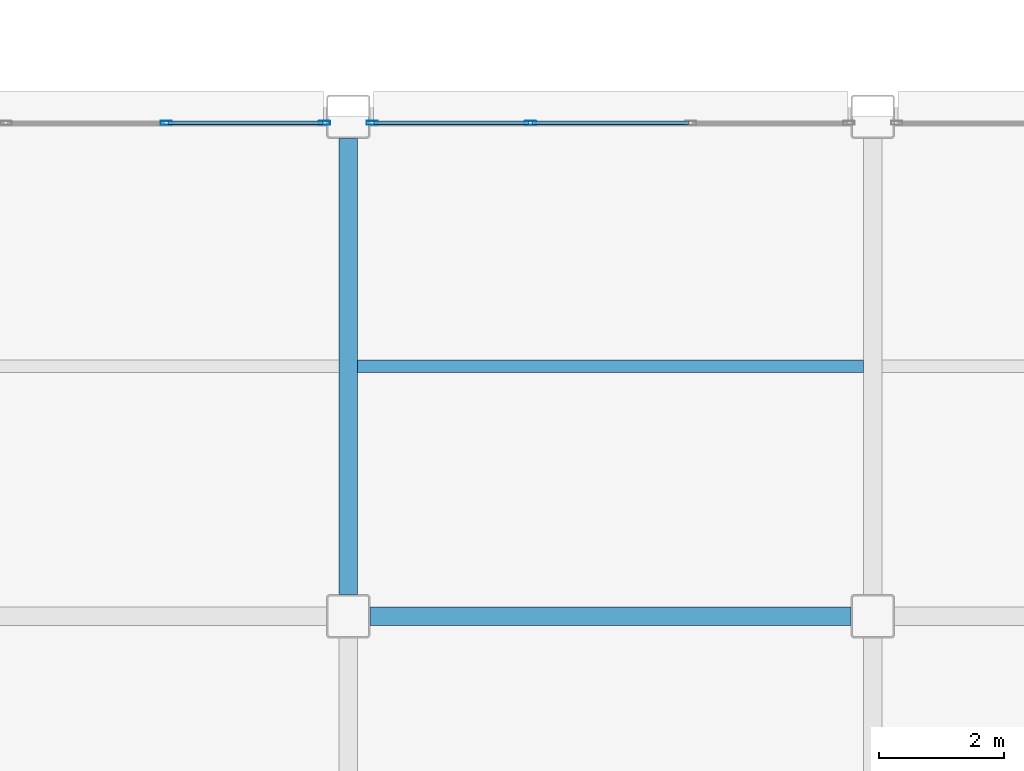
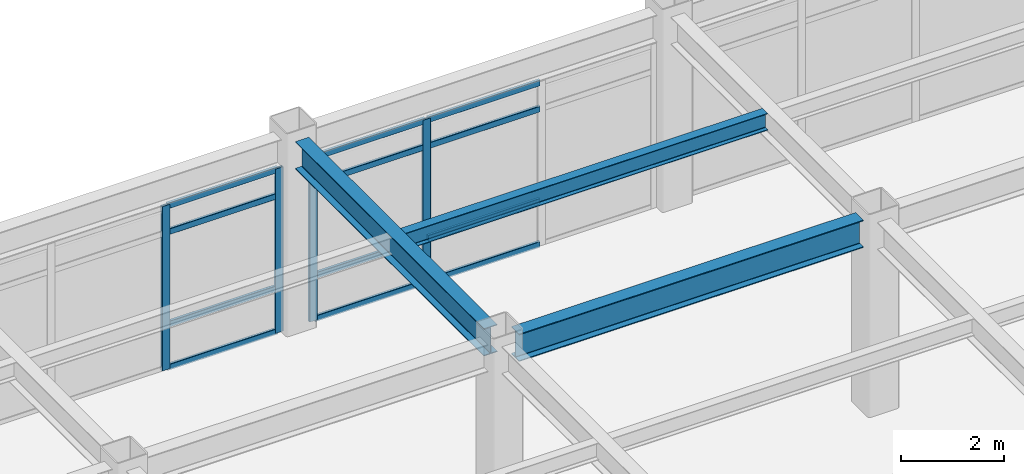
# One storey, part 50 of 154: 16 members, 3 beams, 2 elements without a shape of their own.
"""IFC4 building model written with IfcOpenShell, lengths in metres."""

from ifc_helpers import new_model, si_unit, direction, frame, origin, origin_2d, place, context, subcontext, project, spatial, hollow_rectangle, i_section, extrude, material, layer, layer_set, material_profile, profile_set, type_object, element, aggregate, save


model = new_model("IFC4")

# Units and contexts
model_context = context("Model", 3, precision=1e-05, world=origin(), true_north=direction((0.0, 1.0)))
body_context = subcontext(model_context, "Body", "Model", "MODEL_VIEW")
ifc_project = project(units=[si_unit("LENGTHUNIT", "METRE"), si_unit("AREAUNIT", "SQUARE_METRE"), si_unit("VOLUMEUNIT", "CUBIC_METRE"), si_unit("PLANEANGLEUNIT", "RADIAN"), si_unit("MASSUNIT", "GRAM", prefix="KILO")], contexts=[model_context])

# Site, building, storey
site_placement = place(None, origin())
site = spatial("IfcSite", under=ifc_project, at=site_placement, CompositionType="ELEMENT")
building_placement = place(site_placement, origin())
building = spatial("IfcBuilding", under=site, at=building_placement, Name="Kazehara Bluff Congress Hotel", CompositionType="ELEMENT")
storey_placement = place(building_placement, frame((0.0, 0.0, 10.199951171875)))
storey = spatial("IfcBuildingStorey", under=building, at=storey_placement, Name="L02", CompositionType="ELEMENT", Elevation=10.199951171875)

# Curtain wall, members
ifc_material_1 = material(Name="Anodised aluminium", Category="aluminium")
ifc_layer = layer(ifc_material_1, 0.159912109375)
ifc_layer_set = layer_set([ifc_layer], Name="Anodised aluminium")
curtain_wall_type = type_object("IfcCurtainWallType", Name="TP-CW-79", PredefinedType="NOTDEFINED", material=ifc_layer_set)
curtain_wall_1_placement = place(storey_placement, origin())
curtain_wall_1 = element("IfcCurtainWall", 1, at=curtain_wall_1_placement, inside=storey, type_object=curtain_wall_type, Name="L02 curtain wall CW-79 CW-ENC-V5-L02-12270-3190", PredefinedType="NOTDEFINED")
ifc_material_2 = material(Name="Anodised aluminium", Category="aluminium")
ifc_material_profile_1 = material_profile(ifc_material_2, hollow_rectangle(XDim=0.06494140625, YDim=0.179931640625, WallThickness=0.00390625, InnerFilletRadius=0.00390625, OuterFilletRadius=0.008056640625, at=origin_2d()))
ifc_profile_set_1 = profile_set([ifc_material_profile_1], Name="Anodised aluminium")
member_type_1 = type_object("IfcMemberType", Name="TP-CWM-02", PredefinedType="MULLION", material=ifc_profile_set_1)
member_1_placement = place(storey_placement, frame((123.9833984375, 31.89990234375, 0.0), z_axis=(0.0, 0.0, 1.0), x_axis=(0.0, 1.0, 0.0)))
member_1 = element("IfcMember", 2, at=member_1_placement, type_object=member_type_1, Name="CW-79 mullion 3", PredefinedType="MULLION", context=body_context, shape_type="SweptSolid", body=[
    extrude(hollow_rectangle(XDim=0.06494140625, YDim=0.179931640625, WallThickness=0.00390625, InnerFilletRadius=0.00390625, OuterFilletRadius=0.008056640625, at=origin_2d()), origin(), (0.0, 0.0, 1.0), 3.885009765625),
])
member_2_placement = place(storey_placement, frame((126.517578125, 31.89990234375, 0.0), z_axis=(0.0, 0.0, 1.0), x_axis=(0.0, 1.0, 0.0)))
member_2 = element("IfcMember", 3, at=member_2_placement, type_object=member_type_1, Name="CW-79 mullion 4", PredefinedType="MULLION", context=body_context, shape_type="SweptSolid", body=[
    extrude(hollow_rectangle(XDim=0.06494140625, YDim=0.179931640625, WallThickness=0.00390625, InnerFilletRadius=0.00390625, OuterFilletRadius=0.008056640625, at=origin_2d()), origin(), (0.0, 0.0, 1.0), 3.885009765625),
])

curtain_wall_2_placement = place(storey_placement, origin())
curtain_wall_2 = element("IfcCurtainWall", 4, at=curtain_wall_2_placement, inside=storey, type_object=curtain_wall_type, Name="L02 curtain wall CW-79 CW-ENC-V5-L02-13110-3190", PredefinedType="NOTDEFINED")
member_3_placement = place(storey_placement, frame((127.282470703125, 31.89990234375, 0.0), z_axis=(0.0, 0.0, 1.0), x_axis=(0.0, 1.0, 0.0)))
member_3 = element("IfcMember", 5, at=member_3_placement, type_object=member_type_1, Name="CW-79 mullion 1", PredefinedType="MULLION", context=body_context, shape_type="SweptSolid", body=[
    extrude(hollow_rectangle(XDim=0.06494140625, YDim=0.179931640625, WallThickness=0.00390625, InnerFilletRadius=0.00390625, OuterFilletRadius=0.008056640625, at=origin_2d()), origin(), (0.0, 0.0, 1.0), 3.885009765625),
])
member_4_placement = place(storey_placement, frame((129.816650390625, 31.89990234375, 0.0), z_axis=(0.0, 0.0, 1.0), x_axis=(0.0, 1.0, 0.0)))
member_4 = element("IfcMember", 6, at=member_4_placement, type_object=member_type_1, Name="CW-79 mullion 2", PredefinedType="MULLION", context=body_context, shape_type="SweptSolid", body=[
    extrude(hollow_rectangle(XDim=0.06494140625, YDim=0.179931640625, WallThickness=0.00390625, InnerFilletRadius=0.00390625, OuterFilletRadius=0.008056640625, at=origin_2d()), origin(), (0.0, 0.0, 1.0), 3.885009765625),
])

# Member
ifc_material_3 = material(Name="Anodised aluminium", Category="aluminium")
ifc_material_profile_2 = material_profile(ifc_material_3, hollow_rectangle(XDim=0.06494140625, YDim=0.139892578125, WallThickness=0.00390625, InnerFilletRadius=0.00390625, OuterFilletRadius=0.008056640625, at=origin_2d()))
ifc_profile_set_2 = profile_set([ifc_material_profile_2], Name="Anodised aluminium")
member_type_2 = type_object("IfcMemberType", Name="TP-CWT-02", PredefinedType="USERDEFINED", material=ifc_profile_set_2)
member_5_placement = place(storey_placement, frame((124.015869140625, 31.89990234375, 0.032470703125), z_axis=(1.0, 0.0, 0.0), x_axis=(0.0, 1.0, 0.0)))
member_5 = element("IfcMember", 7, at=member_5_placement, type_object=member_type_2, Name="CW-79 transom 3.1", ObjectType="TRANSOM", PredefinedType="USERDEFINED", context=body_context, shape_type="SweptSolid", body=[
    extrude(hollow_rectangle(XDim=0.06494140625, YDim=0.139892578125, WallThickness=0.00390625, InnerFilletRadius=0.00390625, OuterFilletRadius=0.008056640625, at=origin_2d()), origin(), (0.0, 0.0, 1.0), 2.46923828125),
])

member_6_placement = place(storey_placement, frame((124.015869140625, 31.89990234375, 1.050048828125), z_axis=(1.0, 0.0, 0.0), x_axis=(0.0, 1.0, 0.0)))
member_6 = element("IfcMember", 8, at=member_6_placement, type_object=member_type_2, Name="CW-79 transom 3.2", ObjectType="TRANSOM", PredefinedType="USERDEFINED", context=body_context, shape_type="SweptSolid", body=[
    extrude(hollow_rectangle(XDim=0.06494140625, YDim=0.139892578125, WallThickness=0.00390625, InnerFilletRadius=0.00390625, OuterFilletRadius=0.008056640625, at=origin_2d()), origin(), (0.0, 0.0, 1.0), 2.46923828125),
])

member_7_placement = place(storey_placement, frame((124.015869140625, 31.89990234375, 3.235107421875), z_axis=(1.0, 0.0, 0.0), x_axis=(0.0, 1.0, 0.0)))
member_7 = element("IfcMember", 9, at=member_7_placement, type_object=member_type_2, Name="CW-79 transom 3.3", ObjectType="TRANSOM", PredefinedType="USERDEFINED", context=body_context, shape_type="SweptSolid", body=[
    extrude(hollow_rectangle(XDim=0.06494140625, YDim=0.139892578125, WallThickness=0.00390625, InnerFilletRadius=0.00390625, OuterFilletRadius=0.008056640625, at=origin_2d()), origin(), (0.0, 0.0, 1.0), 2.46923828125),
])

member_8_placement = place(storey_placement, frame((124.015869140625, 31.89990234375, 3.8525390625), z_axis=(1.0, 0.0, 0.0), x_axis=(0.0, 1.0, 0.0)))
member_8 = element("IfcMember", 10, at=member_8_placement, type_object=member_type_2, Name="CW-79 transom 3.4", ObjectType="TRANSOM", PredefinedType="USERDEFINED", context=body_context, shape_type="SweptSolid", body=[
    extrude(hollow_rectangle(XDim=0.06494140625, YDim=0.139892578125, WallThickness=0.00390625, InnerFilletRadius=0.00390625, OuterFilletRadius=0.008056640625, at=origin_2d()), origin(), (0.0, 0.0, 1.0), 2.46923828125),
])

aggregate(curtain_wall_1, [member_1, member_2, member_5, member_6, member_7, member_8])

member_9_placement = place(storey_placement, frame((127.31494140625, 31.89990234375, 0.032470703125), z_axis=(1.0, 0.0, 0.0), x_axis=(0.0, 1.0, 0.0)))
member_9 = element("IfcMember", 11, at=member_9_placement, type_object=member_type_2, Name="CW-79 transom 1.1", ObjectType="TRANSOM", PredefinedType="USERDEFINED", context=body_context, shape_type="SweptSolid", body=[
    extrude(hollow_rectangle(XDim=0.06494140625, YDim=0.139892578125, WallThickness=0.00390625, InnerFilletRadius=0.00390625, OuterFilletRadius=0.008056640625, at=origin_2d()), origin(), (0.0, 0.0, 1.0), 2.46923828125),
])

member_10_placement = place(storey_placement, frame((127.31494140625, 31.89990234375, 1.050048828125), z_axis=(1.0, 0.0, 0.0), x_axis=(0.0, 1.0, 0.0)))
member_10 = element("IfcMember", 12, at=member_10_placement, type_object=member_type_2, Name="CW-79 transom 1.2", ObjectType="TRANSOM", PredefinedType="USERDEFINED", context=body_context, shape_type="SweptSolid", body=[
    extrude(hollow_rectangle(XDim=0.06494140625, YDim=0.139892578125, WallThickness=0.00390625, InnerFilletRadius=0.00390625, OuterFilletRadius=0.008056640625, at=origin_2d()), origin(), (0.0, 0.0, 1.0), 2.46923828125),
])

member_11_placement = place(storey_placement, frame((127.31494140625, 31.89990234375, 3.235107421875), z_axis=(1.0, 0.0, 0.0), x_axis=(0.0, 1.0, 0.0)))
member_11 = element("IfcMember", 13, at=member_11_placement, type_object=member_type_2, Name="CW-79 transom 1.3", ObjectType="TRANSOM", PredefinedType="USERDEFINED", context=body_context, shape_type="SweptSolid", body=[
    extrude(hollow_rectangle(XDim=0.06494140625, YDim=0.139892578125, WallThickness=0.00390625, InnerFilletRadius=0.00390625, OuterFilletRadius=0.008056640625, at=origin_2d()), origin(), (0.0, 0.0, 1.0), 2.46923828125),
])

member_12_placement = place(storey_placement, frame((127.31494140625, 31.89990234375, 3.8525390625), z_axis=(1.0, 0.0, 0.0), x_axis=(0.0, 1.0, 0.0)))
member_12 = element("IfcMember", 14, at=member_12_placement, type_object=member_type_2, Name="CW-79 transom 1.4", ObjectType="TRANSOM", PredefinedType="USERDEFINED", context=body_context, shape_type="SweptSolid", body=[
    extrude(hollow_rectangle(XDim=0.06494140625, YDim=0.139892578125, WallThickness=0.00390625, InnerFilletRadius=0.00390625, OuterFilletRadius=0.008056640625, at=origin_2d()), origin(), (0.0, 0.0, 1.0), 2.46923828125),
])

member_13_placement = place(storey_placement, frame((129.84912109375, 31.89990234375, 0.032470703125), z_axis=(1.0, 0.0, 0.0), x_axis=(0.0, 1.0, 0.0)))
member_13 = element("IfcMember", 15, at=member_13_placement, type_object=member_type_2, Name="CW-79 transom 2.1", ObjectType="TRANSOM", PredefinedType="USERDEFINED", context=body_context, shape_type="SweptSolid", body=[
    extrude(hollow_rectangle(XDim=0.06494140625, YDim=0.139892578125, WallThickness=0.00390625, InnerFilletRadius=0.00390625, OuterFilletRadius=0.008056640625, at=origin_2d()), origin(), (0.0, 0.0, 1.0), 2.501708984375),
])

member_14_placement = place(storey_placement, frame((129.84912109375, 31.89990234375, 1.050048828125), z_axis=(1.0, 0.0, 0.0), x_axis=(0.0, 1.0, 0.0)))
member_14 = element("IfcMember", 16, at=member_14_placement, type_object=member_type_2, Name="CW-79 transom 2.2", ObjectType="TRANSOM", PredefinedType="USERDEFINED", context=body_context, shape_type="SweptSolid", body=[
    extrude(hollow_rectangle(XDim=0.06494140625, YDim=0.139892578125, WallThickness=0.00390625, InnerFilletRadius=0.00390625, OuterFilletRadius=0.008056640625, at=origin_2d()), origin(), (0.0, 0.0, 1.0), 2.501708984375),
])

member_15_placement = place(storey_placement, frame((129.84912109375, 31.89990234375, 3.235107421875), z_axis=(1.0, 0.0, 0.0), x_axis=(0.0, 1.0, 0.0)))
member_15 = element("IfcMember", 17, at=member_15_placement, type_object=member_type_2, Name="CW-79 transom 2.3", ObjectType="TRANSOM", PredefinedType="USERDEFINED", context=body_context, shape_type="SweptSolid", body=[
    extrude(hollow_rectangle(XDim=0.06494140625, YDim=0.139892578125, WallThickness=0.00390625, InnerFilletRadius=0.00390625, OuterFilletRadius=0.008056640625, at=origin_2d()), origin(), (0.0, 0.0, 1.0), 2.501708984375),
])

member_16_placement = place(storey_placement, frame((129.84912109375, 31.89990234375, 3.8525390625), z_axis=(1.0, 0.0, 0.0), x_axis=(0.0, 1.0, 0.0)))
member_16 = element("IfcMember", 18, at=member_16_placement, type_object=member_type_2, Name="CW-79 transom 2.4", ObjectType="TRANSOM", PredefinedType="USERDEFINED", context=body_context, shape_type="SweptSolid", body=[
    extrude(hollow_rectangle(XDim=0.06494140625, YDim=0.139892578125, WallThickness=0.00390625, InnerFilletRadius=0.00390625, OuterFilletRadius=0.008056640625, at=origin_2d()), origin(), (0.0, 0.0, 1.0), 2.501708984375),
])

aggregate(curtain_wall_2, [member_3, member_4, member_9, member_10, member_11, member_12, member_13, member_14, member_15, member_16])

# Beams
ifc_material_4 = material(Name="Steel SN490B", Category="steel")
ifc_material_profile_3 = material_profile(ifc_material_4, i_section(OverallWidth=0.300048828125, OverallDepth=0.64990234375, WebThickness=0.011962890625, FlangeThickness=0.02001953125, FilletRadius=0.012939453125, at=origin_2d()))
ifc_profile_set_3 = profile_set([ifc_material_profile_3], Name="Steel SN490B")
beam_type_1 = type_object("IfcBeamType", Name="TP-G-03", PredefinedType="BEAM", material=ifc_profile_set_3)
beam_1_placement = place(storey_placement, frame((126.89990234375, 24.35009765625, 4.235107421875), z_axis=(0.0, 1.0, 0.0), x_axis=(-1.0, 0.0, 0.0)))
element("IfcBeam", 19, at=beam_1_placement, inside=storey, type_object=beam_type_1, Name="L02 girder G-03 135", PredefinedType="BEAM", context=body_context, shape_type="SweptSolid", body=[
    extrude(i_section(OverallWidth=0.300048828125, OverallDepth=0.64990234375, WebThickness=0.011962890625, FlangeThickness=0.02001953125, FilletRadius=0.012939453125, at=origin_2d()), origin(), (0.0, 0.0, 1.0), 7.2998046875),
])
beam_2_placement = place(storey_placement, frame((127.25, 24.0, 4.235107421875), z_axis=(1.0, 0.0, 0.0), x_axis=(0.0, 1.0, 0.0)))
element("IfcBeam", 20, at=beam_2_placement, inside=storey, type_object=beam_type_1, Name="L02 girder G-03 195", PredefinedType="BEAM", context=body_context, shape_type="SweptSolid", body=[
    extrude(i_section(OverallWidth=0.300048828125, OverallDepth=0.64990234375, WebThickness=0.011962890625, FlangeThickness=0.02001953125, FilletRadius=0.012939453125, at=origin_2d()), origin(), (0.0, 0.0, 1.0), 7.699951171875),
])
ifc_material_5 = material(Name="Steel SN400B", Category="steel")
ifc_material_profile_4 = material_profile(ifc_material_5, i_section(OverallWidth=0.199951171875, OverallDepth=0.39990234375, WebThickness=0.008056640625, FlangeThickness=0.012939453125, FilletRadius=0.012939453125, at=origin_2d()))
ifc_profile_set_4 = profile_set([ifc_material_profile_4], Name="Steel SN400B")
beam_type_2 = type_object("IfcBeamType", Name="TP-J-03", PredefinedType="JOIST", material=ifc_profile_set_4)
beam_3_placement = place(storey_placement, frame((127.050048828125, 28.0, 4.360107421875), z_axis=(1.0, 0.0, 0.0), x_axis=(0.0, 1.0, 0.0)))
element("IfcBeam", 21, at=beam_3_placement, inside=storey, type_object=beam_type_2, Name="L02 secondary joist J-03 32", PredefinedType="JOIST", context=body_context, shape_type="SweptSolid", body=[
    extrude(i_section(OverallWidth=0.199951171875, OverallDepth=0.39990234375, WebThickness=0.008056640625, FlangeThickness=0.012939453125, FilletRadius=0.012939453125, at=origin_2d()), origin(), (0.0, 0.0, 1.0), 8.099853515625),
])

save(model, "model.ifc")
